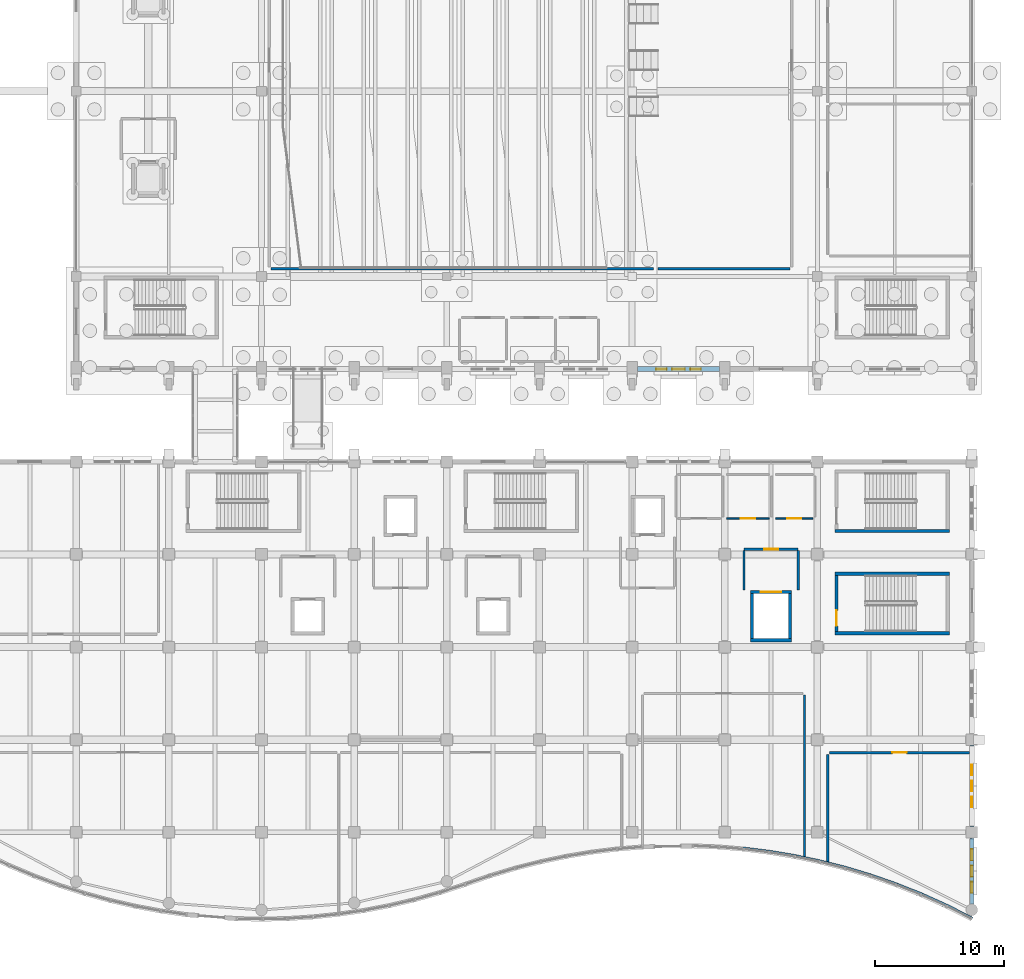
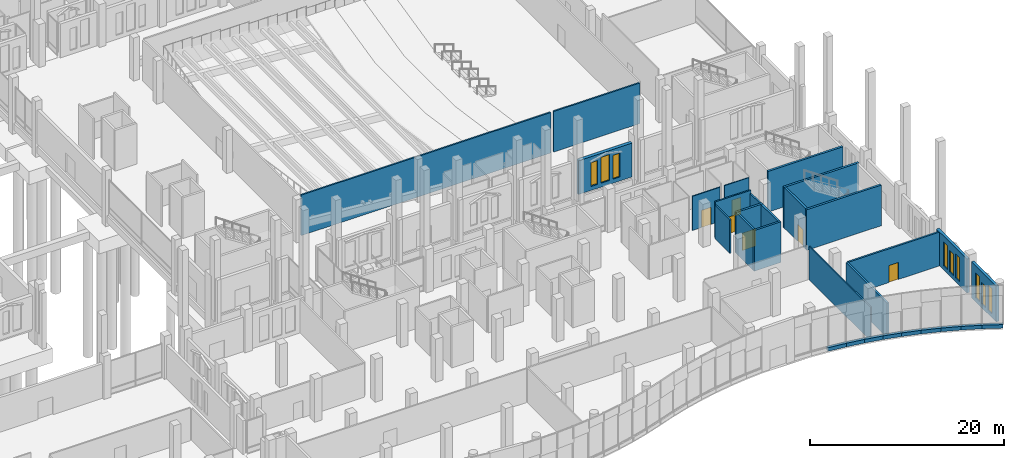
# One storey, part 142 of 192: 30 walls, 9 windows, 6 doors, 15 openings.
"""IFC4 building model written with IfcOpenShell, lengths in metres."""

from ifc_helpers import new_model, si_unit, direction, frame, frame_2d, origin, place, context, subcontext, project, spatial, rectangle, extrude, material, layer, layer_set, type_object, element, fill, save


model = new_model("IFC4")

# Units and contexts
model_context = context("Model", 3, precision=1e-05, world=origin(), true_north=direction((0.0, 1.0)))
body_context = subcontext(model_context, "Body", "Model", "MODEL_VIEW")
ifc_project = project(units=[si_unit("LENGTHUNIT", "METRE"), si_unit("AREAUNIT", "SQUARE_METRE"), si_unit("VOLUMEUNIT", "CUBIC_METRE"), si_unit("PLANEANGLEUNIT", "RADIAN"), si_unit("MASSUNIT", "GRAM", prefix="KILO")], contexts=[model_context])

# Site, building, storey
site_placement = place(None, origin())
site = spatial("IfcSite", under=ifc_project, at=site_placement, CompositionType="ELEMENT")
building_placement = place(site_placement, origin())
building = spatial("IfcBuilding", under=site, at=building_placement, Name="Cendralis Lancet Convention Centre", CompositionType="ELEMENT")
storey_placement = place(building_placement, origin())
storey = spatial("IfcBuildingStorey", under=building, at=storey_placement, Name="L00", CompositionType="ELEMENT", Elevation=0.0)

# Wall, openings, windows
ifc_material_1 = material(Name="Buff sandstone ashlar and Concrete G40 (C40/50)", Category="masonry")
ifc_layer_1 = layer(ifc_material_1, 0.320068359375, Name="Buff sandstone ashlar and Concrete G40 (C40/50)")
ifc_layer_set_1 = layer_set([ifc_layer_1], Name="Buff sandstone ashlar and Concrete G40 (C40/50)")
wall_type_1 = type_object("IfcWallType", Name="ARC-EW-W320", PredefinedType="STANDARD", material=ifc_layer_set_1)
wall_1_placement = place(storey_placement, frame((208.800048828125, 13.94189453125, 0.0), z_axis=(0.0, 0.0, 1.0), x_axis=(0.0, -1.0, 0.0)))
wall_1 = element("IfcWall", 1, at=wall_1_placement, inside=storey, type_object=wall_type_1, Name="L00 V5 Exterior Wall EW-06 #0253", PredefinedType="STANDARD", context=body_context, shape_type="SweptSolid", body=[
    extrude(rectangle(XDim=6.283935546875, YDim=0.320068359375, at=frame_2d((3.14208984375, 0.0))), origin(), (0.0, 0.0, 1.0), 4.2548828125),
])
opening_1_placement = place(wall_1_placement, frame((1.48193359375, 0.0, 0.5)))
opening_1 = element("IfcOpeningElement", 2, at=opening_1_placement, cuts=wall_1, Name="Opening WN-02", PredefinedType="OPENING", context=body_context, shape_type="SweptSolid", body=[
    extrude(rectangle(XDim=0.820068359375, YDim=3.0, at=frame_2d((0.41015625, 1.5))), frame((0.0, 0.169921875, 0.0), z_axis=(0.0, -1.0, 0.0), x_axis=(1.0, 0.0, 0.0)), (0.0, 0.0, 1.0), 0.340087890625),
])
opening_2_placement = place(wall_1_placement, frame((2.721923828125, 0.0, 0.5)))
opening_2 = element("IfcOpeningElement", 3, at=opening_2_placement, cuts=wall_1, Name="Opening WN-15", PredefinedType="OPENING", context=body_context, shape_type="SweptSolid", body=[
    extrude(rectangle(XDim=0.840087890625, YDim=2.699951171875, at=frame_2d((0.419921875, 1.35009765625))), frame((0.0, 0.169921875, 0.0), z_axis=(0.0, -1.0, 0.0), x_axis=(1.0, 0.0, 0.0)), (0.0, 0.0, 1.0), 0.340087890625),
])
opening_3_placement = place(wall_1_placement, frame((3.98193359375, 0.0, 0.5)))
opening_3 = element("IfcOpeningElement", 4, at=opening_3_placement, cuts=wall_1, Name="Opening WN-02", PredefinedType="OPENING", context=body_context, shape_type="SweptSolid", body=[
    extrude(rectangle(XDim=0.820068359375, YDim=3.0, at=frame_2d((0.41015625, 1.5))), frame((0.0, 0.169921875, 0.0), z_axis=(0.0, -1.0, 0.0), x_axis=(1.0, 0.0, 0.0)), (0.0, 0.0, 1.0), 0.340087890625),
])
ifc_material_2 = material(Name="Double-glazed low-E solar-control glass", Category="glass")
window_type_1 = type_object("IfcWindowType", Name="ARC-WN-LW02", PartitioningType="SINGLE_PANEL", PredefinedType="WINDOW", material=ifc_material_2)
window_1_placement = place(opening_1_placement, origin())
window_1 = element("IfcWindow", 5, at=window_1_placement, inside=storey, type_object=window_type_1, Name="Gothic Lancet Window WN-02 #0481", OverallHeight=3.0, OverallWidth=0.820068359375, PartitioningType="SINGLE_PANEL", PredefinedType="WINDOW", context=body_context, shape_type="SweptSolid", body=[
    extrude(rectangle(XDim=0.820068359375, YDim=3.0, at=frame_2d((0.41015625, 1.5))), frame((0.0, 0.030029296875, 0.0), z_axis=(0.0, -1.0, 0.0), x_axis=(1.0, 0.0, 0.0)), (0.0, 0.0, 1.0), 0.06005859375),
])
fill(opening_1, window_1)
window_2_placement = place(opening_3_placement, origin())
window_2 = element("IfcWindow", 6, at=window_2_placement, inside=storey, type_object=window_type_1, Name="Gothic Lancet Window WN-02 #0483", OverallHeight=3.0, OverallWidth=0.820068359375, PartitioningType="SINGLE_PANEL", PredefinedType="WINDOW", context=body_context, shape_type="SweptSolid", body=[
    extrude(rectangle(XDim=0.820068359375, YDim=3.0, at=frame_2d((0.41015625, 1.5))), frame((0.0, 0.030029296875, 0.0), z_axis=(0.0, -1.0, 0.0), x_axis=(1.0, 0.0, 0.0)), (0.0, 0.0, 1.0), 0.06005859375),
])
fill(opening_3, window_2)
window_type_2 = type_object("IfcWindowType", Name="ARC-WN-LW15", PartitioningType="SINGLE_PANEL", PredefinedType="WINDOW", material=ifc_material_2)
window_3_placement = place(opening_2_placement, origin())
window_3 = element("IfcWindow", 7, at=window_3_placement, inside=storey, type_object=window_type_2, Name="Gothic Lancet Window WN-15 #0482", OverallHeight=2.699951171875, OverallWidth=0.840087890625, PartitioningType="SINGLE_PANEL", PredefinedType="WINDOW", context=body_context, shape_type="SweptSolid", body=[
    extrude(rectangle(XDim=0.840087890625, YDim=2.699951171875, at=frame_2d((0.419921875, 1.35009765625))), frame((0.0, 0.030029296875, 0.0), z_axis=(0.0, -1.0, 0.0), x_axis=(1.0, 0.0, 0.0)), (0.0, 0.0, 1.0), 0.06005859375),
])
fill(opening_2, window_3)

wall_2_placement = place(storey_placement, frame((208.800048828125, 6.741943359375, 0.0), z_axis=(0.0, 0.0, 1.0), x_axis=(0.0, -1.0, 0.0)))
wall_2 = element("IfcWall", 8, at=wall_2_placement, inside=storey, type_object=wall_type_1, Name="L00 V5 Exterior Wall EW-06 #0254", PredefinedType="STANDARD", context=body_context, shape_type="SweptSolid", body=[
    extrude(rectangle(XDim=5.10009765625, YDim=0.320068359375, at=frame_2d((2.550048828125, 0.0))), origin(), (0.0, 0.0, 1.0), 4.5048828125),
])
opening_4_placement = place(wall_2_placement, frame((0.85009765625, 0.0, 0.5)))
opening_4 = element("IfcOpeningElement", 9, at=opening_4_placement, cuts=wall_2, Name="Opening WN-03", PredefinedType="OPENING", context=body_context, shape_type="SweptSolid", body=[
    extrude(rectangle(XDim=0.860107421875, YDim=3.14990234375, at=frame_2d((0.43017578125, 1.574951171875))), frame((0.0, 0.169921875, 0.0), z_axis=(0.0, -1.0, 0.0), x_axis=(1.0, 0.0, 0.0)), (0.0, 0.0, 1.0), 0.340087890625),
])
opening_5_placement = place(wall_2_placement, frame((2.130126953125, 0.0, 0.5)))
opening_5 = element("IfcOpeningElement", 10, at=opening_5_placement, cuts=wall_2, Name="Opening WN-15", PredefinedType="OPENING", context=body_context, shape_type="SweptSolid", body=[
    extrude(rectangle(XDim=0.840087890625, YDim=2.699951171875, at=frame_2d((0.419921875, 1.35009765625))), frame((0.0, 0.169921875, 0.0), z_axis=(0.0, -1.0, 0.0), x_axis=(1.0, 0.0, 0.0)), (0.0, 0.0, 1.0), 0.340087890625),
])
opening_6_placement = place(wall_2_placement, frame((3.39013671875, 0.0, 0.5)))
opening_6 = element("IfcOpeningElement", 11, at=opening_6_placement, cuts=wall_2, Name="Opening WN-03", PredefinedType="OPENING", context=body_context, shape_type="SweptSolid", body=[
    extrude(rectangle(XDim=0.860107421875, YDim=3.14990234375, at=frame_2d((0.43017578125, 1.574951171875))), frame((0.0, 0.169921875, 0.0), z_axis=(0.0, -1.0, 0.0), x_axis=(1.0, 0.0, 0.0)), (0.0, 0.0, 1.0), 0.340087890625),
])
window_type_3 = type_object("IfcWindowType", Name="ARC-WN-LW03", PartitioningType="SINGLE_PANEL", PredefinedType="WINDOW", material=ifc_material_2)
window_4_placement = place(opening_4_placement, origin())
window_4 = element("IfcWindow", 12, at=window_4_placement, inside=storey, type_object=window_type_3, Name="Gothic Lancet Window WN-03 #0484", OverallHeight=3.14990234375, OverallWidth=0.860107421875, PartitioningType="SINGLE_PANEL", PredefinedType="WINDOW", context=body_context, shape_type="SweptSolid", body=[
    extrude(rectangle(XDim=0.860107421875, YDim=3.14990234375, at=frame_2d((0.43017578125, 1.574951171875))), frame((0.0, 0.030029296875, 0.0), z_axis=(0.0, -1.0, 0.0), x_axis=(1.0, 0.0, 0.0)), (0.0, 0.0, 1.0), 0.06005859375),
])
fill(opening_4, window_4)
window_5_placement = place(opening_6_placement, origin())
window_5 = element("IfcWindow", 13, at=window_5_placement, inside=storey, type_object=window_type_3, Name="Gothic Lancet Window WN-03 #0486", OverallHeight=3.14990234375, OverallWidth=0.860107421875, PartitioningType="SINGLE_PANEL", PredefinedType="WINDOW", context=body_context, shape_type="SweptSolid", body=[
    extrude(rectangle(XDim=0.860107421875, YDim=3.14990234375, at=frame_2d((0.43017578125, 1.574951171875))), frame((0.0, 0.030029296875, 0.0), z_axis=(0.0, -1.0, 0.0), x_axis=(1.0, 0.0, 0.0)), (0.0, 0.0, 1.0), 0.06005859375),
])
fill(opening_6, window_5)
window_6_placement = place(opening_5_placement, origin())
window_6 = element("IfcWindow", 14, at=window_6_placement, inside=storey, type_object=window_type_2, Name="Gothic Lancet Window WN-15 #0485", OverallHeight=2.699951171875, OverallWidth=0.840087890625, PartitioningType="SINGLE_PANEL", PredefinedType="WINDOW", context=body_context, shape_type="SweptSolid", body=[
    extrude(rectangle(XDim=0.840087890625, YDim=2.699951171875, at=frame_2d((0.419921875, 1.35009765625))), frame((0.0, 0.030029296875, 0.0), z_axis=(0.0, -1.0, 0.0), x_axis=(1.0, 0.0, 0.0)), (0.0, 0.0, 1.0), 0.06005859375),
])
fill(opening_5, window_6)

# Walls
ifc_layer_2 = layer(ifc_material_1, 0.340087890625, Name="Buff sandstone ashlar and Concrete G40 (C40/50)")
ifc_layer_set_2 = layer_set([ifc_layer_2], Name="Buff sandstone ashlar and Concrete G40 (C40/50)")
wall_type_2 = type_object("IfcWallType", Name="ARC-EW-W340", PredefinedType="STANDARD", material=ifc_layer_set_2)
wall_3_placement = place(storey_placement, frame((190.99267578125, 5.905517578125, 0.0), z_axis=(0.0, 0.0, 1.0), x_axis=(0.992340518497, -0.123532567972, 0.0)))
element("IfcWall", 15, at=wall_3_placement, inside=storey, type_object=wall_type_2, Name="South Wave Stone Plinth WP-097-WP-098", PredefinedType="STANDARD", context=body_context, shape_type="SweptSolid", body=[
    extrude(rectangle(XDim=2.154296875, YDim=0.340087890625, at=frame_2d((1.0771484375, 0.0))), origin(), (0.0, 0.0, 1.0), 0.449951171875),
])
wall_4_placement = place(storey_placement, frame((192.962158203125, 5.6640625, 0.0), z_axis=(0.0, 0.0, 1.0), x_axis=(0.986406105595, -0.164325880023, 0.0)))
element("IfcWall", 16, at=wall_4_placement, inside=storey, type_object=wall_type_2, Name="South Wave Stone Plinth WP-098-WP-099", PredefinedType="STANDARD", context=body_context, shape_type="SweptSolid", body=[
    extrude(rectangle(XDim=2.166259765625, YDim=0.340087890625, at=frame_2d((1.0830078125, 0.0))), origin(), (0.0, 0.0, 1.0), 0.449951171875),
])
wall_5_placement = place(storey_placement, frame((194.931884765625, 5.339599609375, 0.0), z_axis=(0.0, 0.0, 1.0), x_axis=(0.978597224131, -0.205785016274, 0.0)))
element("IfcWall", 17, at=wall_5_placement, inside=storey, type_object=wall_type_2, Name="South Wave Stone Plinth WP-099-WP-100", PredefinedType="STANDARD", context=body_context, shape_type="SweptSolid", body=[
    extrude(rectangle(XDim=2.182861328125, YDim=0.340087890625, at=frame_2d((1.09130859375, 0.0))), origin(), (0.0, 0.0, 1.0), 0.449951171875),
])
wall_6_placement = place(storey_placement, frame((196.902587890625, 4.928955078125, 0.0), z_axis=(0.0, 0.0, 1.0), x_axis=(0.969248825285, -0.246082739509, 0.0)))
element("IfcWall", 18, at=wall_6_placement, inside=storey, type_object=wall_type_2, Name="South Wave Stone Plinth WP-100-WP-101", PredefinedType="STANDARD", context=body_context, shape_type="SweptSolid", body=[
    extrude(rectangle(XDim=2.201416015625, YDim=0.340087890625, at=frame_2d((1.1005859375, 0.0))), origin(), (0.0, 0.0, 1.0), 0.449951171875),
])
wall_7_placement = place(storey_placement, frame((198.87255859375, 4.4326171875, 0.0), z_axis=(0.0, 0.0, 1.0), x_axis=(0.957632889706, -0.287991750844, 0.0)))
element("IfcWall", 19, at=wall_7_placement, inside=storey, type_object=wall_type_2, Name="South Wave Stone Plinth WP-101-WP-102", PredefinedType="STANDARD", context=body_context, shape_type="SweptSolid", body=[
    extrude(rectangle(XDim=2.22607421875, YDim=0.340087890625, at=frame_2d((1.113037109375, 0.0))), origin(), (0.0, 0.0, 1.0), 0.449951171875),
])
wall_8_placement = place(storey_placement, frame((200.8427734375, 3.843994140625, 0.0), z_axis=(0.0, 0.0, 1.0), x_axis=(0.944466118258, -0.328608812211, 0.0)))
element("IfcWall", 20, at=wall_8_placement, inside=storey, type_object=wall_type_2, Name="South Wave Stone Plinth WP-102-WP-103", PredefinedType="STANDARD", context=body_context, shape_type="SweptSolid", body=[
    extrude(rectangle(XDim=2.2548828125, YDim=0.340087890625, at=frame_2d((1.12744140625, 0.0))), origin(), (0.0, 0.0, 1.0), 0.449951171875),
])
wall_9_placement = place(storey_placement, frame((202.81298828125, 3.162353515625, 0.0), z_axis=(0.0, 0.0, 1.0), x_axis=(0.929297953996, -0.369330898651, 0.0)))
element("IfcWall", 21, at=wall_9_placement, inside=storey, type_object=wall_type_2, Name="South Wave Stone Plinth WP-103-WP-104", PredefinedType="STANDARD", context=body_context, shape_type="SweptSolid", body=[
    extrude(rectangle(XDim=2.289794921875, YDim=0.340087890625, at=frame_2d((1.14501953125, 0.0))), origin(), (0.0, 0.0, 1.0), 0.449951171875),
])
wall_10_placement = place(storey_placement, frame((204.784423828125, 2.3828125, 0.0), z_axis=(0.0, 0.0, 1.0), x_axis=(0.911764564576, -0.410713256158, 0.0)))
element("IfcWall", 22, at=wall_10_placement, inside=storey, type_object=wall_type_2, Name="South Wave Stone Plinth WP-104-WP-105", PredefinedType="STANDARD", context=body_context, shape_type="SweptSolid", body=[
    extrude(rectangle(XDim=2.32958984375, YDim=0.340087890625, at=frame_2d((1.164794921875, 0.0))), origin(), (0.0, 0.0, 1.0), 0.449951171875),
])
wall_11_placement = place(storey_placement, frame((206.755126953125, 1.49951171875, 0.0), z_axis=(0.0, 0.0, 1.0), x_axis=(0.892157701522, -0.451724070219, 0.0)))
element("IfcWall", 23, at=wall_11_placement, inside=storey, type_object=wall_type_2, Name="South Wave Stone Plinth WP-105-WP-106", PredefinedType="STANDARD", context=body_context, shape_type="SweptSolid", body=[
    extrude(rectangle(XDim=2.2919921875, YDim=0.340087890625, at=frame_2d((1.14599609375, 0.0))), origin(), (0.0, 0.0, 1.0), 0.449951171875),
])

# Wall, openings, windows
ifc_layer_3 = layer(ifc_material_1, 0.3798828125, Name="Buff sandstone ashlar and Concrete G40 (C40/50)")
ifc_layer_set_3 = layer_set([ifc_layer_3], Name="Buff sandstone ashlar and Concrete G40 (C40/50)")
wall_type_3 = type_object("IfcWallType", Name="ARC-EW-W380", PredefinedType="STANDARD", material=ifc_layer_set_3)
wall_12_placement = place(storey_placement, frame((189.19189453125, 43.199951171875, 0.0), z_axis=(0.0, 0.0, 1.0), x_axis=(-1.0, 0.0, 0.0)))
wall_12 = element("IfcWall", 24, at=wall_12_placement, inside=storey, type_object=wall_type_3, Name="L00 V2 Exterior Wall EW-03 #0073", PredefinedType="STANDARD", context=body_context, shape_type="SweptSolid", body=[
    extrude(rectangle(XDim=6.3837890625, YDim=0.3798828125, at=frame_2d((3.19189453125, 0.0))), origin(), (0.0, 0.0, 1.0), 4.2548828125),
])
opening_7_placement = place(wall_12_placement, frame((1.451904296875, 0.0, 0.5)))
opening_7 = element("IfcOpeningElement", 25, at=opening_7_placement, cuts=wall_12, Name="Opening WN-02", PredefinedType="OPENING", context=body_context, shape_type="SweptSolid", body=[
    extrude(rectangle(XDim=0.820068359375, YDim=3.0, at=frame_2d((0.41015625, 1.5))), frame((0.0, 0.199951171875, 0.0), z_axis=(0.0, -1.0, 0.0), x_axis=(1.0, 0.0, 0.0)), (0.0, 0.0, 1.0), 0.39990234375),
])
opening_8_placement = place(wall_12_placement, frame((2.69189453125, 0.0, 0.5)))
opening_8 = element("IfcOpeningElement", 26, at=opening_8_placement, cuts=wall_12, Name="Opening WN-10", PredefinedType="OPENING", context=body_context, shape_type="SweptSolid", body=[
    extrude(rectangle(XDim=1.0, YDim=3.25, at=frame_2d((0.5, 1.625))), frame((0.0, 0.199951171875, 0.0), z_axis=(0.0, -1.0, 0.0), x_axis=(1.0, 0.0, 0.0)), (0.0, 0.0, 1.0), 0.39990234375),
])
opening_9_placement = place(wall_12_placement, frame((4.112060546875, 0.0, 0.5)))
opening_9 = element("IfcOpeningElement", 27, at=opening_9_placement, cuts=wall_12, Name="Opening WN-02", PredefinedType="OPENING", context=body_context, shape_type="SweptSolid", body=[
    extrude(rectangle(XDim=0.820068359375, YDim=3.0, at=frame_2d((0.41015625, 1.5))), frame((0.0, 0.199951171875, 0.0), z_axis=(0.0, -1.0, 0.0), x_axis=(1.0, 0.0, 0.0)), (0.0, 0.0, 1.0), 0.39990234375),
])
window_7_placement = place(opening_7_placement, origin())
window_7 = element("IfcWindow", 28, at=window_7_placement, inside=storey, type_object=window_type_1, Name="Gothic Lancet Window WN-02 #0118", OverallHeight=3.0, OverallWidth=0.820068359375, PartitioningType="SINGLE_PANEL", PredefinedType="WINDOW", context=body_context, shape_type="SweptSolid", body=[
    extrude(rectangle(XDim=0.820068359375, YDim=3.0, at=frame_2d((0.41015625, 1.5))), frame((0.0, 0.030029296875, 0.0), z_axis=(0.0, -1.0, 0.0), x_axis=(1.0, 0.0, 0.0)), (0.0, 0.0, 1.0), 0.06005859375),
])
fill(opening_7, window_7)
window_8_placement = place(opening_9_placement, origin())
window_8 = element("IfcWindow", 29, at=window_8_placement, inside=storey, type_object=window_type_1, Name="Gothic Lancet Window WN-02 #0120", OverallHeight=3.0, OverallWidth=0.820068359375, PartitioningType="SINGLE_PANEL", PredefinedType="WINDOW", context=body_context, shape_type="SweptSolid", body=[
    extrude(rectangle(XDim=0.820068359375, YDim=3.0, at=frame_2d((0.41015625, 1.5))), frame((0.0, 0.030029296875, 0.0), z_axis=(0.0, -1.0, 0.0), x_axis=(1.0, 0.0, 0.0)), (0.0, 0.0, 1.0), 0.06005859375),
])
fill(opening_9, window_8)
window_type_4 = type_object("IfcWindowType", Name="ARC-WN-LW10", PartitioningType="SINGLE_PANEL", PredefinedType="WINDOW", material=ifc_material_2)
window_9_placement = place(opening_8_placement, origin())
window_9 = element("IfcWindow", 30, at=window_9_placement, inside=storey, type_object=window_type_4, Name="Gothic Lancet Window WN-10 #0119", OverallHeight=3.25, OverallWidth=1.0, PartitioningType="SINGLE_PANEL", PredefinedType="WINDOW", context=body_context, shape_type="SweptSolid", body=[
    extrude(rectangle(XDim=1.0, YDim=3.25, at=frame_2d((0.5, 1.625))), frame((0.0, 0.030029296875, 0.0), z_axis=(0.0, -1.0, 0.0), x_axis=(1.0, 0.0, 0.0)), (0.0, 0.0, 1.0), 0.06005859375),
])
fill(opening_8, window_9)

# Wall, opening, door
ifc_material_3 = material(Name="Acoustic fire-rated gypsum board on steel studs", Category="steel")
ifc_layer_4 = layer(ifc_material_3, 0.1201171875, Name="Acoustic fire-rated gypsum board on steel studs")
ifc_layer_set_4 = layer_set([ifc_layer_4], Name="Acoustic fire-rated gypsum board on steel studs")
wall_type_4 = type_object("IfcWallType", Name="ARC-IW-P120", PredefinedType="PARTITIONING", material=ifc_layer_set_4)
wall_13_placement = place(storey_placement, frame((189.75, 31.60009765625, 0.0), z_axis=(0.0, 0.0, 1.0), x_axis=(1.0, 0.0, 0.0)))
wall_13 = element("IfcWall", 31, at=wall_13_placement, inside=storey, type_object=wall_type_4, Name="L00 Interior Partition IW-05 #0361", PredefinedType="PARTITIONING", context=body_context, shape_type="SweptSolid", body=[
    extrude(rectangle(XDim=3.300048828125, YDim=0.1201171875, at=frame_2d((1.64990234375, 0.0))), origin(), (0.0, 0.0, 1.0), 4.304931640625),
])
opening_10_placement = place(wall_13_placement, frame((1.10009765625, 0.0, 0.0)))
opening_10 = element("IfcOpeningElement", 32, at=opening_10_placement, cuts=wall_13, Name="Opening FD-11", PredefinedType="OPENING", context=body_context, shape_type="SweptSolid", body=[
    extrude(rectangle(XDim=1.10009765625, YDim=2.14990234375, at=frame_2d((0.550048828125, 1.074951171875))), frame((0.0, 0.070068359375, 0.0), z_axis=(0.0, -1.0, 0.0), x_axis=(1.0, 0.0, 0.0)), (0.0, 0.0, 1.0), 0.14013671875),
])
ifc_material_4 = material(Name="Steel S355", Category="steel")
door_type_1 = type_object("IfcDoorType", Name="ARC-DR-FF11", OperationType="NOTDEFINED", PredefinedType="DOOR", material=ifc_material_4)
door_1_placement = place(opening_10_placement, origin())
door_1 = element("IfcDoor", 33, at=door_1_placement, inside=storey, type_object=door_type_1, Name="L00-D088 L00 Interior Door FD-11 #0122", OperationType="SINGLE_SWING_RIGHT", OverallHeight=2.14990234375, OverallWidth=1.10009765625, PredefinedType="DOOR", context=body_context, shape_type="SweptSolid", body=[
    extrude(rectangle(XDim=1.10009765625, YDim=2.14990234375, at=frame_2d((0.550048828125, 1.074951171875))), frame((0.0, 0.02490234375, 0.0), z_axis=(0.0, -1.0, 0.0), x_axis=(1.0, 0.0, 0.0)), (0.0, 0.0, 1.0), 0.050048828125),
])
fill(opening_10, door_1)

wall_14_placement = place(storey_placement, frame((193.550048828125, 31.60009765625, 0.0), z_axis=(0.0, 0.0, 1.0), x_axis=(1.0, 0.0, 0.0)))
wall_14 = element("IfcWall", 34, at=wall_14_placement, inside=storey, type_object=wall_type_4, Name="L00 Interior Partition IW-05 #0364", PredefinedType="PARTITIONING", context=body_context, shape_type="SweptSolid", body=[
    extrude(rectangle(XDim=2.89990234375, YDim=0.1201171875, at=frame_2d((1.449951171875, 0.0))), origin(), (0.0, 0.0, 1.0), 4.304931640625),
])
opening_11_placement = place(wall_14_placement, frame((0.89990234375, 0.0, 0.0)))
opening_11 = element("IfcOpeningElement", 35, at=opening_11_placement, cuts=wall_14, Name="Opening FD-11", PredefinedType="OPENING", context=body_context, shape_type="SweptSolid", body=[
    extrude(rectangle(XDim=1.10009765625, YDim=2.14990234375, at=frame_2d((0.550048828125, 1.074951171875))), frame((0.0, 0.070068359375, 0.0), z_axis=(0.0, -1.0, 0.0), x_axis=(1.0, 0.0, 0.0)), (0.0, 0.0, 1.0), 0.14013671875),
])
door_2_placement = place(opening_11_placement, frame((1.10009765625, 0.0, 0.0), z_axis=(0.0, 0.0, 1.0), x_axis=(-1.0, 0.0, 0.0)))
door_2 = element("IfcDoor", 36, at=door_2_placement, inside=storey, type_object=door_type_1, Name="L00-D089 L00 Interior Door FD-11 #0123", OperationType="SINGLE_SWING_LEFT", OverallHeight=2.14990234375, OverallWidth=1.10009765625, PredefinedType="DOOR", context=body_context, shape_type="SweptSolid", body=[
    extrude(rectangle(XDim=1.10009765625, YDim=2.14990234375, at=frame_2d((0.550048828125, 1.074951171875))), frame((0.0, 0.02490234375, 0.0), z_axis=(0.0, -1.0, 0.0), x_axis=(1.0, 0.0, 0.0)), (0.0, 0.0, 1.0), 0.050048828125),
])
fill(opening_11, door_2)

# Wall
ifc_layer_5 = layer(ifc_material_3, 0.139892578125, Name="Acoustic fire-rated gypsum board on steel studs")
ifc_layer_set_5 = layer_set([ifc_layer_5], Name="Acoustic fire-rated gypsum board on steel studs")
wall_type_5 = type_object("IfcWallType", Name="ARC-IW-P140", PredefinedType="PARTITIONING", material=ifc_layer_set_5)
wall_15_placement = place(storey_placement, frame((195.800048828125, 5.2275390625, 0.0), z_axis=(0.0, 0.0, 1.0), x_axis=(0.0, 1.0, 0.0)))
element("IfcWall", 37, at=wall_15_placement, inside=storey, type_object=wall_type_5, Name="L00 Interior Partition IW-04 #0350", PredefinedType="PARTITIONING", context=body_context, shape_type="SweptSolid", body=[
    extrude(rectangle(XDim=12.632568359375, YDim=0.139892578125, at=frame_2d((6.31640625, 0.0))), origin(), (0.0, 0.0, 1.0), 4.205078125),
])

# Wall, opening, door
ifc_layer_6 = layer(ifc_material_3, 0.179931640625, Name="Acoustic fire-rated gypsum board on steel studs")
ifc_layer_set_6 = layer_set([ifc_layer_6], Name="Acoustic fire-rated gypsum board on steel studs")
wall_type_6 = type_object("IfcWallType", Name="ARC-IW-P180", PredefinedType="PARTITIONING", material=ifc_layer_set_6)
wall_16_placement = place(storey_placement, frame((191.10009765625, 29.199951171875, 0.0), z_axis=(0.0, 0.0, 1.0), x_axis=(1.0, 0.0, 0.0)))
wall_16 = element("IfcWall", 38, at=wall_16_placement, inside=storey, type_object=wall_type_6, Name="L00 Lift Lobby LG-04 Front Wall", PredefinedType="PARTITIONING", context=body_context, shape_type="SweptSolid", body=[
    extrude(rectangle(XDim=4.199951171875, YDim=0.179931640625, at=frame_2d((2.10009765625, 0.0))), origin(), (0.0, 0.0, 1.0), 4.60498046875),
])
opening_12_placement = place(wall_16_placement, frame((1.550048828125, 0.0, 0.0)))
opening_12 = element("IfcOpeningElement", 39, at=opening_12_placement, cuts=wall_16, Name="Opening FD-11", PredefinedType="OPENING", context=body_context, shape_type="SweptSolid", body=[
    extrude(rectangle(XDim=1.10009765625, YDim=2.14990234375, at=frame_2d((0.550048828125, 1.074951171875))), frame((0.0, 0.099853515625, 0.0), z_axis=(0.0, -1.0, 0.0), x_axis=(1.0, 0.0, 0.0)), (0.0, 0.0, 1.0), 0.199951171875),
])
door_3_placement = place(opening_12_placement, origin())
door_3 = element("IfcDoor", 40, at=door_3_placement, inside=storey, type_object=door_type_1, Name="L00-D109 L00 Lift Lobby LG-04 Fire Door", OperationType="SINGLE_SWING_RIGHT", OverallHeight=2.14990234375, OverallWidth=1.10009765625, PredefinedType="DOOR", context=body_context, shape_type="SweptSolid", body=[
    extrude(rectangle(XDim=1.10009765625, YDim=2.14990234375, at=frame_2d((0.550048828125, 1.074951171875))), frame((0.0, 0.02490234375, 0.0), z_axis=(0.0, -1.0, 0.0), x_axis=(1.0, 0.0, 0.0)), (0.0, 0.0, 1.0), 0.050048828125),
])
fill(opening_12, door_3)

# Walls
for number, where, z_axis, x_axis, name in (
    (41, (191.10009765625, 26.050048828125, 0.0), (0.0, 0.0, 1.0), (0.0, 1.0, 0.0), "L00 Lift Lobby LG-04 West Wall"),
    (42, (195.300048828125, 26.050048828125, 0.0), (0.0, 0.0, 1.0), (0.0, 1.0, 0.0), "L00 Lift Lobby LG-04 East Wall"),
):
    element("IfcWall", number, at=place(storey_placement, frame(where, z_axis=z_axis, x_axis=x_axis)), inside=storey, type_object=wall_type_6, Name=name, PredefinedType="PARTITIONING", context=body_context, shape_type="SweptSolid", body=[
        extrude(rectangle(XDim=3.050048828125, YDim=0.179931640625, at=frame_2d((1.52490234375, 0.0))), origin(), (0.0, 0.0, 1.0), 4.205078125),
    ])
wall_17_placement = place(storey_placement, frame((154.340087890625, 51.0, 0.0), z_axis=(0.0, 0.0, 1.0), x_axis=(1.0, 0.0, 0.0)))
element("IfcWall", 43, at=wall_17_placement, inside=storey, type_object=wall_type_6, Name="L00 Interior Partition IW-02 #0056", PredefinedType="PARTITIONING", context=body_context, shape_type="SweptSolid", body=[
    extrude(rectangle(XDim=29.719970703125, YDim=0.179931640625, at=frame_2d((14.85986328125, 0.0))), origin(), (0.0, 0.0, 1.0), 5.10498046875),
])
wall_18_placement = place(storey_placement, frame((184.39990234375, 51.0, 0.0), z_axis=(0.0, 0.0, 1.0), x_axis=(1.0, 0.0, 0.0)))
element("IfcWall", 44, at=wall_18_placement, inside=storey, type_object=wall_type_6, Name="L00 Interior Partition IW-02 #0059", PredefinedType="PARTITIONING", context=body_context, shape_type="SweptSolid", body=[
    extrude(rectangle(XDim=10.260009765625, YDim=0.179931640625, at=frame_2d((5.1298828125, 0.0))), origin(), (0.0, 0.0, 1.0), 5.10498046875),
])
ifc_layer_7 = layer(ifc_material_3, 0.2099609375, Name="Acoustic fire-rated gypsum board on steel studs")
ifc_layer_set_7 = layer_set([ifc_layer_7], Name="Acoustic fire-rated gypsum board on steel studs")
wall_type_7 = type_object("IfcWallType", Name="ARC-IW-P210", PredefinedType="PARTITIONING", material=ifc_layer_set_7)
wall_19_placement = place(storey_placement, frame((197.60009765625, 4.821533203125, 0.0), z_axis=(0.0, 0.0, 1.0), x_axis=(0.0, 1.0, 0.0)))
element("IfcWall", 45, at=wall_19_placement, inside=storey, type_object=wall_type_7, Name="L00 Interior Partition IW-01 #0346", PredefinedType="PARTITIONING", context=body_context, shape_type="SweptSolid", body=[
    extrude(rectangle(XDim=8.4384765625, YDim=0.2099609375, at=frame_2d((4.21923828125, 0.0))), origin(), (0.0, 0.0, 1.0), 4.35498046875),
])

# Wall, opening, door
wall_20_placement = place(storey_placement, frame((197.739990234375, 13.39990234375, 0.0), z_axis=(0.0, 0.0, 1.0), x_axis=(1.0, 0.0, 0.0)))
wall_20 = element("IfcWall", 46, at=wall_20_placement, inside=storey, type_object=wall_type_7, Name="L00 Interior Partition IW-01 #0347", PredefinedType="PARTITIONING", context=body_context, shape_type="SweptSolid", body=[
    extrude(rectangle(XDim=10.889892578125, YDim=0.2099609375, at=frame_2d((5.44482421875, 0.0))), origin(), (0.0, 0.0, 1.0), 4.2548828125),
])
opening_13_placement = place(wall_20_placement, frame((4.89501953125, 0.0, 0.0)))
opening_13 = element("IfcOpeningElement", 47, at=opening_13_placement, cuts=wall_20, Name="Opening FD-11", PredefinedType="OPENING", context=body_context, shape_type="SweptSolid", body=[
    extrude(rectangle(XDim=1.10009765625, YDim=2.14990234375, at=frame_2d((0.550048828125, 1.074951171875))), frame((0.0, 0.114990234375, 0.0), z_axis=(0.0, -1.0, 0.0), x_axis=(1.0, 0.0, 0.0)), (0.0, 0.0, 1.0), 0.22998046875),
])
door_4_placement = place(opening_13_placement, origin())
door_4 = element("IfcDoor", 48, at=door_4_placement, inside=storey, type_object=door_type_1, Name="L00-D082 L00 Interior Door FD-11 #0116", OperationType="SINGLE_SWING_RIGHT", OverallHeight=2.14990234375, OverallWidth=1.10009765625, PredefinedType="DOOR", context=body_context, shape_type="SweptSolid", body=[
    extrude(rectangle(XDim=1.10009765625, YDim=2.14990234375, at=frame_2d((0.550048828125, 1.074951171875))), frame((0.0, 0.02490234375, 0.0), z_axis=(0.0, -1.0, 0.0), x_axis=(1.0, 0.0, 0.0)), (0.0, 0.0, 1.0), 0.050048828125),
])
fill(opening_13, door_4)

ifc_material_5 = material(Name="Concrete G40 (C40/50)", Category="concrete")
ifc_layer_8 = layer(ifc_material_5, 0.25, Name="Concrete G40 (C40/50)")
ifc_layer_set_8 = layer_set([ifc_layer_8], Name="Concrete G40 (C40/50)")
wall_type_8 = type_object("IfcWallType", Name="STR-SW-CW250", PredefinedType="SHEAR", material=ifc_layer_set_8)
wall_21_placement = place(storey_placement, frame((198.27490234375, 22.800048828125, 0.0), z_axis=(0.0, 0.0, 1.0), x_axis=(0.0, 1.0, 0.0)))
wall_21 = element("IfcWall", 49, at=wall_21_placement, inside=storey, type_object=wall_type_8, Name="L00 Stair Core ST-15 West Shear Wall", PredefinedType="SHEAR", context=body_context, shape_type="SweptSolid", body=[
    extrude(rectangle(XDim=4.3798828125, YDim=0.25, at=frame_2d((2.18994140625, 0.0))), origin(), (0.0, 0.0, 1.0), 5.1201171875),
])
opening_14_placement = place(wall_21_placement, frame((0.449951171875, 0.0, 0.0)))
opening_14 = element("IfcOpeningElement", 50, at=opening_14_placement, cuts=wall_21, Name="Opening SD-12", PredefinedType="OPENING", context=body_context, shape_type="SweptSolid", body=[
    extrude(rectangle(XDim=1.199951171875, YDim=2.14990234375, at=frame_2d((0.60009765625, 1.074951171875))), frame((0.0, 0.135009765625, 0.0), z_axis=(0.0, -1.0, 0.0), x_axis=(1.0, 0.0, 0.0)), (0.0, 0.0, 1.0), 0.27001953125),
])
door_type_2 = type_object("IfcDoorType", Name="ARC-DR-ST12", OperationType="NOTDEFINED", PredefinedType="DOOR", material=ifc_material_4)
door_5_placement = place(opening_14_placement, origin())
door_5 = element("IfcDoor", 51, at=door_5_placement, inside=storey, type_object=door_type_2, Name="L00-D132 L00 Exit Stair ST-15 Fire Door", OperationType="SINGLE_SWING_LEFT", OverallHeight=2.14990234375, OverallWidth=1.199951171875, PredefinedType="DOOR", context=body_context, shape_type="SweptSolid", body=[
    extrude(rectangle(XDim=1.199951171875, YDim=2.14990234375, at=frame_2d((0.60009765625, 1.074951171875))), frame((0.0, 0.02490234375, 0.0), z_axis=(0.0, -1.0, 0.0), x_axis=(1.0, 0.0, 0.0)), (0.0, 0.0, 1.0), 0.050048828125),
])
fill(opening_14, door_5)

# Walls
for number, where, z_axis, x_axis, name in (
    (52, (198.14990234375, 22.675048828125, 0.0), (0.0, 0.0, 1.0), (1.0, 0.0, 0.0), "L00 Stair Core ST-15 South Shear Wall"),
    (53, (198.14990234375, 27.304931640625, 0.0), (0.0, 0.0, 1.0), (1.0, 0.0, 0.0), "L00 Stair Core ST-15 North Shear Wall"),
    (54, (198.14990234375, 30.625, 0.0), (0.0, 0.0, 1.0), (1.0, 0.0, 0.0), "L00 Stair Core ST-16 South Shear Wall"),
):
    element("IfcWall", number, at=place(storey_placement, frame(where, z_axis=z_axis, x_axis=x_axis)), inside=storey, type_object=wall_type_8, Name=name, PredefinedType="SHEAR", context=body_context, shape_type="SweptSolid", body=[
        extrude(rectangle(XDim=8.900146484375, YDim=0.25, at=frame_2d((4.4501953125, 0.0))), origin(), (0.0, 0.0, 1.0), 5.1201171875),
    ])
wall_22_placement = place(storey_placement, frame((191.60009765625, 22.125, 0.0), z_axis=(0.0, 0.0, 1.0), x_axis=(1.0, 0.0, 0.0)))
element("IfcWall", 55, at=wall_22_placement, inside=storey, type_object=wall_type_8, Name="L00 Lift LG-04 South Shaft Wall", PredefinedType="SHEAR", context=body_context, shape_type="SweptSolid", body=[
    extrude(rectangle(XDim=3.199951171875, YDim=0.25, at=frame_2d((1.60009765625, 0.0))), origin(), (0.0, 0.0, 1.0), 5.1201171875),
])

# Wall, opening, door
wall_23_placement = place(storey_placement, frame((191.60009765625, 25.875, 0.0), z_axis=(0.0, 0.0, 1.0), x_axis=(1.0, 0.0, 0.0)))
wall_23 = element("IfcWall", 56, at=wall_23_placement, inside=storey, type_object=wall_type_8, Name="L00 Lift LG-04 North Shaft Wall", PredefinedType="SHEAR", context=body_context, shape_type="SweptSolid", body=[
    extrude(rectangle(XDim=3.199951171875, YDim=0.25, at=frame_2d((1.60009765625, 0.0))), origin(), (0.0, 0.0, 1.0), 5.1201171875),
])
opening_15_placement = place(wall_23_placement, frame((0.800048828125, 0.0, 0.0)))
opening_15 = element("IfcOpeningElement", 57, at=opening_15_placement, cuts=wall_23, Name="Opening LD-16", PredefinedType="OPENING", context=body_context, shape_type="SweptSolid", body=[
    extrude(rectangle(XDim=1.60009765625, YDim=2.199951171875, at=frame_2d((0.800048828125, 1.10009765625))), frame((0.0, 0.135009765625, 0.0), z_axis=(0.0, -1.0, 0.0), x_axis=(1.0, 0.0, 0.0)), (0.0, 0.0, 1.0), 0.27001953125),
])
door_type_3 = type_object("IfcDoorType", Name="ARC-DR-LD16", OperationType="NOTDEFINED", PredefinedType="DOOR", material=ifc_material_4)
door_6_placement = place(opening_15_placement, origin())
door_6 = element("IfcDoor", 58, at=door_6_placement, inside=storey, type_object=door_type_3, Name="L00-D095 L00 Lift LG-04 Sliding Landing Door", OperationType="SLIDING_TO_RIGHT", OverallHeight=2.199951171875, OverallWidth=1.60009765625, PredefinedType="DOOR", context=body_context, shape_type="SweptSolid", body=[
    extrude(rectangle(XDim=1.60009765625, YDim=2.199951171875, at=frame_2d((0.800048828125, 1.10009765625))), frame((0.0, 0.02490234375, 0.0), z_axis=(0.0, -1.0, 0.0), x_axis=(1.0, 0.0, 0.0)), (0.0, 0.0, 1.0), 0.050048828125),
])
fill(opening_15, door_6)

# Walls
for number, where, z_axis, x_axis, name in (
    (59, (191.72509765625, 22.25, 0.0), (0.0, 0.0, 1.0), (0.0, 1.0, 0.0), "L00 Lift LG-04 West Shaft Wall"),
    (60, (194.675048828125, 22.25, 0.0), (0.0, 0.0, 1.0), (0.0, 1.0, 0.0), "L00 Lift LG-04 East Shaft Wall"),
):
    element("IfcWall", number, at=place(storey_placement, frame(where, z_axis=z_axis, x_axis=x_axis)), inside=storey, type_object=wall_type_8, Name=name, PredefinedType="SHEAR", context=body_context, shape_type="SweptSolid", body=[
        extrude(rectangle(XDim=3.5, YDim=0.25, at=frame_2d((1.75, 0.0))), origin(), (0.0, 0.0, 1.0), 5.1201171875),
    ])

save(model, "model.ifc")
